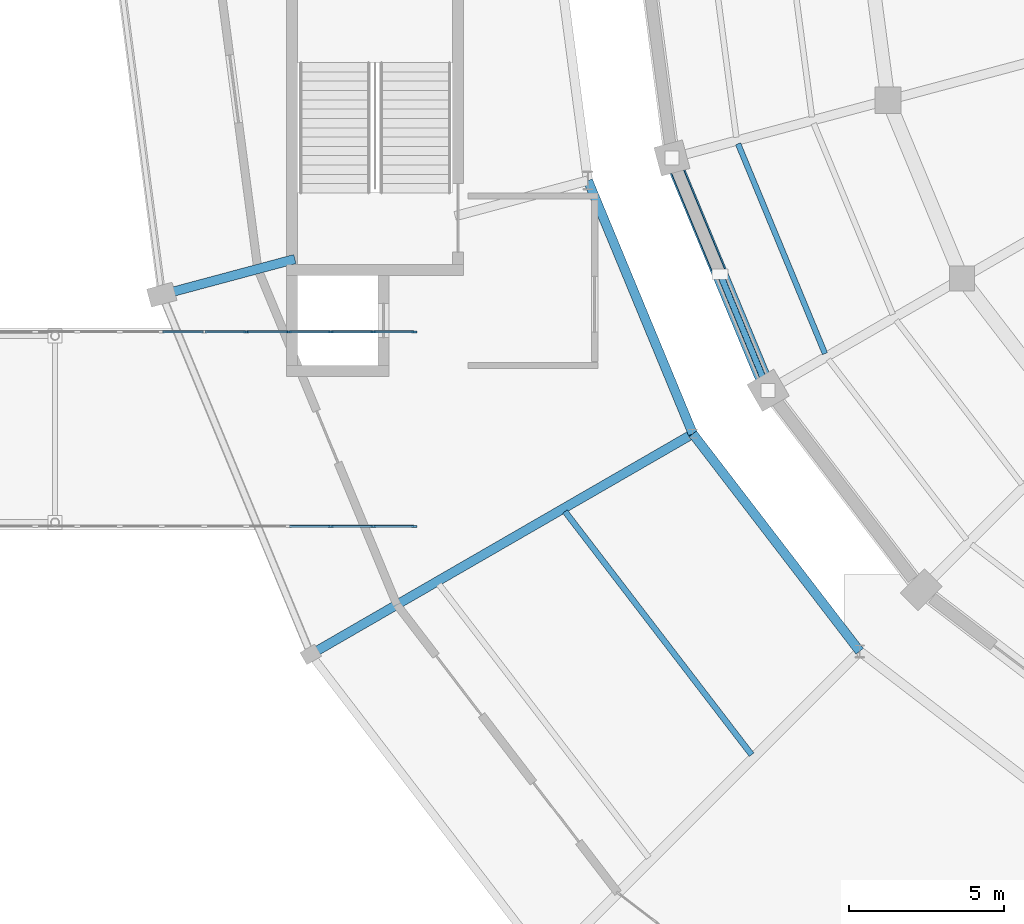
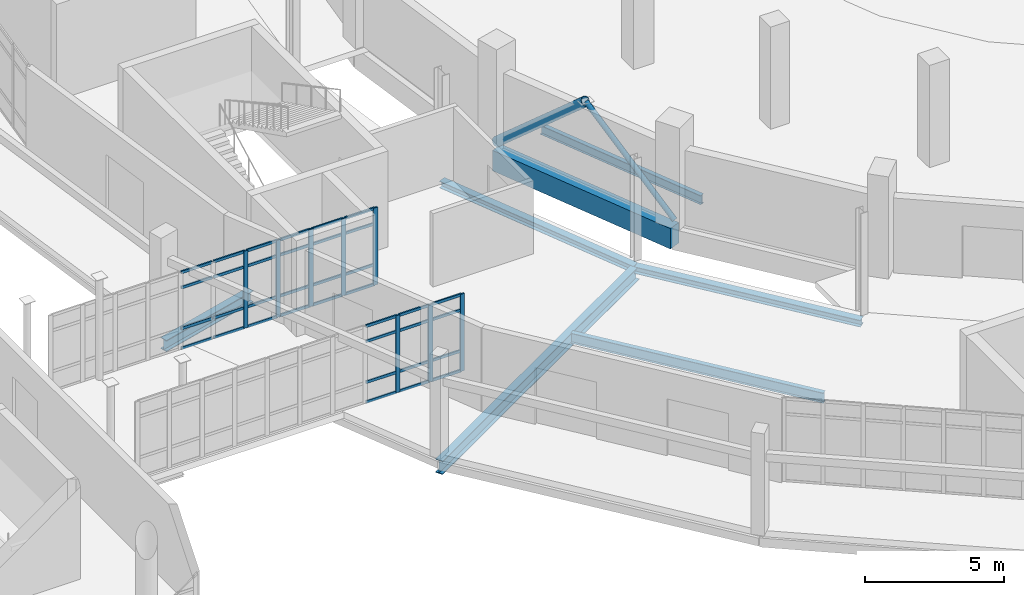
# One storey, part 33 of 122: 46 members, 7 beams, 2 elements without a shape of their own.
"""IFC4 building model written with IfcOpenShell, lengths in metres."""

from ifc_helpers import new_model, si_unit, direction, frame, origin, origin_2d, place, context, subcontext, project, spatial, rectangle, hollow_circle, i_section, extrude, material, layer, layer_set, material_profile, profile_set, type_object, element, aggregate, save


model = new_model("IFC4")

# Units and contexts
model_context = context("Model", 3, precision=1e-05, world=origin(), true_north=direction((0.0, 1.0)))
body_context = subcontext(model_context, "Body", "Model", "MODEL_VIEW")
ifc_project = project(units=[si_unit("LENGTHUNIT", "METRE"), si_unit("AREAUNIT", "SQUARE_METRE"), si_unit("VOLUMEUNIT", "CUBIC_METRE"), si_unit("PLANEANGLEUNIT", "RADIAN"), si_unit("MASSUNIT", "GRAM", prefix="KILO")], contexts=[model_context])

# Site, building, storey
site_placement = place(None, origin())
site = spatial("IfcSite", under=ifc_project, at=site_placement, CompositionType="ELEMENT")
building_placement = place(site_placement, origin())
building = spatial("IfcBuilding", under=site, at=building_placement, Name="Sohan Crest Arena", CompositionType="ELEMENT")
storey_placement = place(building_placement, origin())
storey = spatial("IfcBuildingStorey", under=building, at=storey_placement, Name="L00", CompositionType="ELEMENT", Elevation=0.0)

# Curtain wall, members
ifc_material_1 = material(Name="Thermally broken anodised aluminium", Category="aluminium")
ifc_layer = layer(ifc_material_1, 0.18994140625, Name="Thermally broken anodised aluminium")
ifc_layer_set = layer_set([ifc_layer], Name="Thermally broken anodised aluminium")
curtain_wall_type = type_object("IfcCurtainWallType", Name="ARC-CW05", PredefinedType="NOTDEFINED", material=ifc_layer_set)
curtain_wall_1_placement = place(storey_placement, origin())
curtain_wall_1 = element("IfcCurtainWall", 1, at=curtain_wall_1_placement, inside=storey, type_object=curtain_wall_type, Name="Unitised curtain wall CW-223", PredefinedType="NOTDEFINED")
ifc_material_profile_1 = material_profile(ifc_material_1, rectangle(XDim=0.06494140625, YDim=0.179931640625, at=origin_2d()), Name="ALU-MULL 65x180")
ifc_profile_set_1 = profile_set([ifc_material_profile_1], Name="Thermally broken anodised aluminium")
member_type_1 = type_object("IfcMemberType", Name="ARC-CW-ML02", PredefinedType="MULLION", material=ifc_profile_set_1)
member_1_placement = place(storey_placement, frame((57.080078125, 58.1201171875, 0.0), z_axis=(0.0, 0.0, 1.0), x_axis=(0.0, 1.0, 0.0)))
member_1 = element("IfcMember", 2, at=member_1_placement, type_object=member_type_1, Name="CW-223 mullion 9", PredefinedType="MULLION", context=body_context, shape_type="SweptSolid", body=[
    extrude(rectangle(XDim=0.06494140625, YDim=0.179931640625, at=origin_2d()), origin(), (0.0, 0.0, 1.0), 3.39990234375),
])
member_2_placement = place(storey_placement, frame((58.43994140625, 58.1201171875, 0.0), z_axis=(0.0, 0.0, 1.0), x_axis=(0.0, 1.0, 0.0)))
member_2 = element("IfcMember", 3, at=member_2_placement, type_object=member_type_1, Name="CW-223 mullion 10", PredefinedType="MULLION", context=body_context, shape_type="SweptSolid", body=[
    extrude(rectangle(XDim=0.06494140625, YDim=0.179931640625, at=origin_2d()), origin(), (0.0, 0.0, 1.0), 3.39990234375),
])
member_3_placement = place(storey_placement, frame((59.767578125, 58.1201171875, 0.0), z_axis=(0.0, 0.0, 1.0), x_axis=(0.0, 1.0, 0.0)))
member_3 = element("IfcMember", 4, at=member_3_placement, type_object=member_type_1, Name="CW-223 mullion 11", PredefinedType="MULLION", context=body_context, shape_type="SweptSolid", body=[
    extrude(rectangle(XDim=0.06494140625, YDim=0.179931640625, at=origin_2d()), origin(), (0.0, 0.0, 1.0), 3.39990234375),
])

curtain_wall_2_placement = place(storey_placement, origin())
curtain_wall_2 = element("IfcCurtainWall", 5, at=curtain_wall_2_placement, inside=storey, type_object=curtain_wall_type, Name="Unitised curtain wall CW-224", PredefinedType="NOTDEFINED")
member_4_placement = place(storey_placement, frame((54.360107421875, 64.3798828125, 0.0), z_axis=(0.0, 0.0, 1.0), x_axis=(0.0, 1.0, 0.0)))
member_4 = element("IfcMember", 6, at=member_4_placement, type_object=member_type_1, Name="CW-224 mullion 7", PredefinedType="MULLION", context=body_context, shape_type="SweptSolid", body=[
    extrude(rectangle(XDim=0.06494140625, YDim=0.179931640625, at=origin_2d()), origin(), (0.0, 0.0, 1.0), 3.39990234375),
])
member_5_placement = place(storey_placement, frame((55.719970703125, 64.3798828125, 0.0), z_axis=(0.0, 0.0, 1.0), x_axis=(0.0, 1.0, 0.0)))
member_5 = element("IfcMember", 7, at=member_5_placement, type_object=member_type_1, Name="CW-224 mullion 8", PredefinedType="MULLION", context=body_context, shape_type="SweptSolid", body=[
    extrude(rectangle(XDim=0.06494140625, YDim=0.179931640625, at=origin_2d()), origin(), (0.0, 0.0, 1.0), 3.39990234375),
])
member_6_placement = place(storey_placement, frame((57.080078125, 64.3798828125, 0.0), z_axis=(0.0, 0.0, 1.0), x_axis=(0.0, 1.0, 0.0)))
member_6 = element("IfcMember", 8, at=member_6_placement, type_object=member_type_1, Name="CW-224 mullion 9", PredefinedType="MULLION", context=body_context, shape_type="SweptSolid", body=[
    extrude(rectangle(XDim=0.06494140625, YDim=0.179931640625, at=origin_2d()), origin(), (0.0, 0.0, 1.0), 3.39990234375),
])
member_7_placement = place(storey_placement, frame((58.43994140625, 64.3798828125, 0.0), z_axis=(0.0, 0.0, 1.0), x_axis=(0.0, 1.0, 0.0)))
member_7 = element("IfcMember", 9, at=member_7_placement, type_object=member_type_1, Name="CW-224 mullion 10", PredefinedType="MULLION", context=body_context, shape_type="SweptSolid", body=[
    extrude(rectangle(XDim=0.06494140625, YDim=0.179931640625, at=origin_2d()), origin(), (0.0, 0.0, 1.0), 3.39990234375),
])
member_8_placement = place(storey_placement, frame((59.767578125, 64.3798828125, 0.0), z_axis=(0.0, 0.0, 1.0), x_axis=(0.0, 1.0, 0.0)))
member_8 = element("IfcMember", 10, at=member_8_placement, type_object=member_type_1, Name="CW-224 mullion 11", PredefinedType="MULLION", context=body_context, shape_type="SweptSolid", body=[
    extrude(rectangle(XDim=0.06494140625, YDim=0.179931640625, at=origin_2d()), origin(), (0.0, 0.0, 1.0), 3.39990234375),
])

# Member
ifc_material_profile_2 = material_profile(ifc_material_1, rectangle(XDim=0.06005859375, YDim=0.1201171875, at=origin_2d()), Name="ALU-TRAN 60x120")
ifc_profile_set_2 = profile_set([ifc_material_profile_2], Name="Thermally broken anodised aluminium")
member_type_2 = type_object("IfcMemberType", Name="ARC-CW-TR01", PredefinedType="USERDEFINED", material=ifc_profile_set_2)
member_9_placement = place(storey_placement, frame((55.75244140625, 58.1201171875, 0.030029296875), z_axis=(1.0, 0.0, 0.0), x_axis=(0.0, 1.0, 0.0)))
member_9 = element("IfcMember", 11, at=member_9_placement, type_object=member_type_2, Name="CW-223 transom 8.1", ObjectType="TRANSOM", PredefinedType="USERDEFINED", context=body_context, shape_type="SweptSolid", body=[
    extrude(rectangle(XDim=0.06005859375, YDim=0.1201171875, at=origin_2d()), origin(), (0.0, 0.0, 1.0), 1.295166015625),
])

member_10_placement = place(storey_placement, frame((55.75244140625, 58.1201171875, 0.89990234375), z_axis=(1.0, 0.0, 0.0), x_axis=(0.0, 1.0, 0.0)))
member_10 = element("IfcMember", 12, at=member_10_placement, type_object=member_type_2, Name="CW-223 transom 8.2", ObjectType="TRANSOM", PredefinedType="USERDEFINED", context=body_context, shape_type="SweptSolid", body=[
    extrude(rectangle(XDim=0.06005859375, YDim=0.1201171875, at=origin_2d()), origin(), (0.0, 0.0, 1.0), 1.295166015625),
])

member_11_placement = place(storey_placement, frame((55.75244140625, 58.1201171875, 2.699951171875), z_axis=(1.0, 0.0, 0.0), x_axis=(0.0, 1.0, 0.0)))
member_11 = element("IfcMember", 13, at=member_11_placement, type_object=member_type_2, Name="CW-223 transom 8.3", ObjectType="TRANSOM", PredefinedType="USERDEFINED", context=body_context, shape_type="SweptSolid", body=[
    extrude(rectangle(XDim=0.06005859375, YDim=0.1201171875, at=origin_2d()), origin(), (0.0, 0.0, 1.0), 1.295166015625),
])

member_12_placement = place(storey_placement, frame((55.75244140625, 58.1201171875, 3.3701171875), z_axis=(1.0, 0.0, 0.0), x_axis=(0.0, 1.0, 0.0)))
member_12 = element("IfcMember", 14, at=member_12_placement, type_object=member_type_2, Name="CW-223 transom 8.4", ObjectType="TRANSOM", PredefinedType="USERDEFINED", context=body_context, shape_type="SweptSolid", body=[
    extrude(rectangle(XDim=0.06005859375, YDim=0.1201171875, at=origin_2d()), origin(), (0.0, 0.0, 1.0), 1.295166015625),
])

member_13_placement = place(storey_placement, frame((57.112548828125, 58.1201171875, 0.030029296875), z_axis=(1.0, 0.0, 0.0), x_axis=(0.0, 1.0, 0.0)))
member_13 = element("IfcMember", 15, at=member_13_placement, type_object=member_type_2, Name="CW-223 transom 9.1", ObjectType="TRANSOM", PredefinedType="USERDEFINED", context=body_context, shape_type="SweptSolid", body=[
    extrude(rectangle(XDim=0.06005859375, YDim=0.1201171875, at=origin_2d()), origin(), (0.0, 0.0, 1.0), 1.294921875),
])

member_14_placement = place(storey_placement, frame((57.112548828125, 58.1201171875, 0.89990234375), z_axis=(1.0, 0.0, 0.0), x_axis=(0.0, 1.0, 0.0)))
member_14 = element("IfcMember", 16, at=member_14_placement, type_object=member_type_2, Name="CW-223 transom 9.2", ObjectType="TRANSOM", PredefinedType="USERDEFINED", context=body_context, shape_type="SweptSolid", body=[
    extrude(rectangle(XDim=0.06005859375, YDim=0.1201171875, at=origin_2d()), origin(), (0.0, 0.0, 1.0), 1.294921875),
])

member_15_placement = place(storey_placement, frame((57.112548828125, 58.1201171875, 2.699951171875), z_axis=(1.0, 0.0, 0.0), x_axis=(0.0, 1.0, 0.0)))
member_15 = element("IfcMember", 17, at=member_15_placement, type_object=member_type_2, Name="CW-223 transom 9.3", ObjectType="TRANSOM", PredefinedType="USERDEFINED", context=body_context, shape_type="SweptSolid", body=[
    extrude(rectangle(XDim=0.06005859375, YDim=0.1201171875, at=origin_2d()), origin(), (0.0, 0.0, 1.0), 1.294921875),
])

member_16_placement = place(storey_placement, frame((57.112548828125, 58.1201171875, 3.3701171875), z_axis=(1.0, 0.0, 0.0), x_axis=(0.0, 1.0, 0.0)))
member_16 = element("IfcMember", 18, at=member_16_placement, type_object=member_type_2, Name="CW-223 transom 9.4", ObjectType="TRANSOM", PredefinedType="USERDEFINED", context=body_context, shape_type="SweptSolid", body=[
    extrude(rectangle(XDim=0.06005859375, YDim=0.1201171875, at=origin_2d()), origin(), (0.0, 0.0, 1.0), 1.294921875),
])

member_17_placement = place(storey_placement, frame((58.472412109375, 58.1201171875, 0.030029296875), z_axis=(1.0, 0.0, 0.0), x_axis=(0.0, 1.0, 0.0)))
member_17 = element("IfcMember", 19, at=member_17_placement, type_object=member_type_2, Name="CW-223 transom 10.1", ObjectType="TRANSOM", PredefinedType="USERDEFINED", context=body_context, shape_type="SweptSolid", body=[
    extrude(rectangle(XDim=0.06005859375, YDim=0.1201171875, at=origin_2d()), origin(), (0.0, 0.0, 1.0), 1.2626953125),
])

member_18_placement = place(storey_placement, frame((58.472412109375, 58.1201171875, 0.89990234375), z_axis=(1.0, 0.0, 0.0), x_axis=(0.0, 1.0, 0.0)))
member_18 = element("IfcMember", 20, at=member_18_placement, type_object=member_type_2, Name="CW-223 transom 10.2", ObjectType="TRANSOM", PredefinedType="USERDEFINED", context=body_context, shape_type="SweptSolid", body=[
    extrude(rectangle(XDim=0.06005859375, YDim=0.1201171875, at=origin_2d()), origin(), (0.0, 0.0, 1.0), 1.2626953125),
])

member_19_placement = place(storey_placement, frame((58.472412109375, 58.1201171875, 2.699951171875), z_axis=(1.0, 0.0, 0.0), x_axis=(0.0, 1.0, 0.0)))
member_19 = element("IfcMember", 21, at=member_19_placement, type_object=member_type_2, Name="CW-223 transom 10.3", ObjectType="TRANSOM", PredefinedType="USERDEFINED", context=body_context, shape_type="SweptSolid", body=[
    extrude(rectangle(XDim=0.06005859375, YDim=0.1201171875, at=origin_2d()), origin(), (0.0, 0.0, 1.0), 1.2626953125),
])

member_20_placement = place(storey_placement, frame((58.472412109375, 58.1201171875, 3.3701171875), z_axis=(1.0, 0.0, 0.0), x_axis=(0.0, 1.0, 0.0)))
member_20 = element("IfcMember", 22, at=member_20_placement, type_object=member_type_2, Name="CW-223 transom 10.4", ObjectType="TRANSOM", PredefinedType="USERDEFINED", context=body_context, shape_type="SweptSolid", body=[
    extrude(rectangle(XDim=0.06005859375, YDim=0.1201171875, at=origin_2d()), origin(), (0.0, 0.0, 1.0), 1.2626953125),
])

aggregate(curtain_wall_1, [member_1, member_2, member_3, member_9, member_10, member_11, member_12, member_13, member_14, member_15, member_16, member_17, member_18, member_19, member_20])

member_21_placement = place(storey_placement, frame((51.672607421875, 64.3798828125, 0.030029296875), z_axis=(1.0, 0.0, 0.0), x_axis=(0.0, 1.0, 0.0)))
member_21 = element("IfcMember", 23, at=member_21_placement, type_object=member_type_2, Name="CW-224 transom 5.1", ObjectType="TRANSOM", PredefinedType="USERDEFINED", context=body_context, shape_type="SweptSolid", body=[
    extrude(rectangle(XDim=0.06005859375, YDim=0.1201171875, at=origin_2d()), origin(), (0.0, 0.0, 1.0), 1.294921875),
])

member_22_placement = place(storey_placement, frame((51.672607421875, 64.3798828125, 0.89990234375), z_axis=(1.0, 0.0, 0.0), x_axis=(0.0, 1.0, 0.0)))
member_22 = element("IfcMember", 24, at=member_22_placement, type_object=member_type_2, Name="CW-224 transom 5.2", ObjectType="TRANSOM", PredefinedType="USERDEFINED", context=body_context, shape_type="SweptSolid", body=[
    extrude(rectangle(XDim=0.06005859375, YDim=0.1201171875, at=origin_2d()), origin(), (0.0, 0.0, 1.0), 1.294921875),
])

member_23_placement = place(storey_placement, frame((51.672607421875, 64.3798828125, 2.699951171875), z_axis=(1.0, 0.0, 0.0), x_axis=(0.0, 1.0, 0.0)))
member_23 = element("IfcMember", 25, at=member_23_placement, type_object=member_type_2, Name="CW-224 transom 5.3", ObjectType="TRANSOM", PredefinedType="USERDEFINED", context=body_context, shape_type="SweptSolid", body=[
    extrude(rectangle(XDim=0.06005859375, YDim=0.1201171875, at=origin_2d()), origin(), (0.0, 0.0, 1.0), 1.294921875),
])

member_24_placement = place(storey_placement, frame((51.672607421875, 64.3798828125, 3.3701171875), z_axis=(1.0, 0.0, 0.0), x_axis=(0.0, 1.0, 0.0)))
member_24 = element("IfcMember", 26, at=member_24_placement, type_object=member_type_2, Name="CW-224 transom 5.4", ObjectType="TRANSOM", PredefinedType="USERDEFINED", context=body_context, shape_type="SweptSolid", body=[
    extrude(rectangle(XDim=0.06005859375, YDim=0.1201171875, at=origin_2d()), origin(), (0.0, 0.0, 1.0), 1.294921875),
])

member_25_placement = place(storey_placement, frame((53.032470703125, 64.3798828125, 0.030029296875), z_axis=(1.0, 0.0, 0.0), x_axis=(0.0, 1.0, 0.0)))
member_25 = element("IfcMember", 27, at=member_25_placement, type_object=member_type_2, Name="CW-224 transom 6.1", ObjectType="TRANSOM", PredefinedType="USERDEFINED", context=body_context, shape_type="SweptSolid", body=[
    extrude(rectangle(XDim=0.06005859375, YDim=0.1201171875, at=origin_2d()), origin(), (0.0, 0.0, 1.0), 1.294921875),
])

member_26_placement = place(storey_placement, frame((53.032470703125, 64.3798828125, 0.89990234375), z_axis=(1.0, 0.0, 0.0), x_axis=(0.0, 1.0, 0.0)))
member_26 = element("IfcMember", 28, at=member_26_placement, type_object=member_type_2, Name="CW-224 transom 6.2", ObjectType="TRANSOM", PredefinedType="USERDEFINED", context=body_context, shape_type="SweptSolid", body=[
    extrude(rectangle(XDim=0.06005859375, YDim=0.1201171875, at=origin_2d()), origin(), (0.0, 0.0, 1.0), 1.294921875),
])

member_27_placement = place(storey_placement, frame((53.032470703125, 64.3798828125, 2.699951171875), z_axis=(1.0, 0.0, 0.0), x_axis=(0.0, 1.0, 0.0)))
member_27 = element("IfcMember", 29, at=member_27_placement, type_object=member_type_2, Name="CW-224 transom 6.3", ObjectType="TRANSOM", PredefinedType="USERDEFINED", context=body_context, shape_type="SweptSolid", body=[
    extrude(rectangle(XDim=0.06005859375, YDim=0.1201171875, at=origin_2d()), origin(), (0.0, 0.0, 1.0), 1.294921875),
])

member_28_placement = place(storey_placement, frame((53.032470703125, 64.3798828125, 3.3701171875), z_axis=(1.0, 0.0, 0.0), x_axis=(0.0, 1.0, 0.0)))
member_28 = element("IfcMember", 30, at=member_28_placement, type_object=member_type_2, Name="CW-224 transom 6.4", ObjectType="TRANSOM", PredefinedType="USERDEFINED", context=body_context, shape_type="SweptSolid", body=[
    extrude(rectangle(XDim=0.06005859375, YDim=0.1201171875, at=origin_2d()), origin(), (0.0, 0.0, 1.0), 1.294921875),
])

member_29_placement = place(storey_placement, frame((54.392578125, 64.3798828125, 0.030029296875), z_axis=(1.0, 0.0, 0.0), x_axis=(0.0, 1.0, 0.0)))
member_29 = element("IfcMember", 31, at=member_29_placement, type_object=member_type_2, Name="CW-224 transom 7.1", ObjectType="TRANSOM", PredefinedType="USERDEFINED", context=body_context, shape_type="SweptSolid", body=[
    extrude(rectangle(XDim=0.06005859375, YDim=0.1201171875, at=origin_2d()), origin(), (0.0, 0.0, 1.0), 1.294921875),
])

member_30_placement = place(storey_placement, frame((54.392578125, 64.3798828125, 0.89990234375), z_axis=(1.0, 0.0, 0.0), x_axis=(0.0, 1.0, 0.0)))
member_30 = element("IfcMember", 32, at=member_30_placement, type_object=member_type_2, Name="CW-224 transom 7.2", ObjectType="TRANSOM", PredefinedType="USERDEFINED", context=body_context, shape_type="SweptSolid", body=[
    extrude(rectangle(XDim=0.06005859375, YDim=0.1201171875, at=origin_2d()), origin(), (0.0, 0.0, 1.0), 1.294921875),
])

member_31_placement = place(storey_placement, frame((54.392578125, 64.3798828125, 2.699951171875), z_axis=(1.0, 0.0, 0.0), x_axis=(0.0, 1.0, 0.0)))
member_31 = element("IfcMember", 33, at=member_31_placement, type_object=member_type_2, Name="CW-224 transom 7.3", ObjectType="TRANSOM", PredefinedType="USERDEFINED", context=body_context, shape_type="SweptSolid", body=[
    extrude(rectangle(XDim=0.06005859375, YDim=0.1201171875, at=origin_2d()), origin(), (0.0, 0.0, 1.0), 1.294921875),
])

member_32_placement = place(storey_placement, frame((54.392578125, 64.3798828125, 3.3701171875), z_axis=(1.0, 0.0, 0.0), x_axis=(0.0, 1.0, 0.0)))
member_32 = element("IfcMember", 34, at=member_32_placement, type_object=member_type_2, Name="CW-224 transom 7.4", ObjectType="TRANSOM", PredefinedType="USERDEFINED", context=body_context, shape_type="SweptSolid", body=[
    extrude(rectangle(XDim=0.06005859375, YDim=0.1201171875, at=origin_2d()), origin(), (0.0, 0.0, 1.0), 1.294921875),
])

member_33_placement = place(storey_placement, frame((55.75244140625, 64.3798828125, 0.030029296875), z_axis=(1.0, 0.0, 0.0), x_axis=(0.0, 1.0, 0.0)))
member_33 = element("IfcMember", 35, at=member_33_placement, type_object=member_type_2, Name="CW-224 transom 8.1", ObjectType="TRANSOM", PredefinedType="USERDEFINED", context=body_context, shape_type="SweptSolid", body=[
    extrude(rectangle(XDim=0.06005859375, YDim=0.1201171875, at=origin_2d()), origin(), (0.0, 0.0, 1.0), 1.295166015625),
])

member_34_placement = place(storey_placement, frame((55.75244140625, 64.3798828125, 0.89990234375), z_axis=(1.0, 0.0, 0.0), x_axis=(0.0, 1.0, 0.0)))
member_34 = element("IfcMember", 36, at=member_34_placement, type_object=member_type_2, Name="CW-224 transom 8.2", ObjectType="TRANSOM", PredefinedType="USERDEFINED", context=body_context, shape_type="SweptSolid", body=[
    extrude(rectangle(XDim=0.06005859375, YDim=0.1201171875, at=origin_2d()), origin(), (0.0, 0.0, 1.0), 1.295166015625),
])

member_35_placement = place(storey_placement, frame((55.75244140625, 64.3798828125, 2.699951171875), z_axis=(1.0, 0.0, 0.0), x_axis=(0.0, 1.0, 0.0)))
member_35 = element("IfcMember", 37, at=member_35_placement, type_object=member_type_2, Name="CW-224 transom 8.3", ObjectType="TRANSOM", PredefinedType="USERDEFINED", context=body_context, shape_type="SweptSolid", body=[
    extrude(rectangle(XDim=0.06005859375, YDim=0.1201171875, at=origin_2d()), origin(), (0.0, 0.0, 1.0), 1.295166015625),
])

member_36_placement = place(storey_placement, frame((55.75244140625, 64.3798828125, 3.3701171875), z_axis=(1.0, 0.0, 0.0), x_axis=(0.0, 1.0, 0.0)))
member_36 = element("IfcMember", 38, at=member_36_placement, type_object=member_type_2, Name="CW-224 transom 8.4", ObjectType="TRANSOM", PredefinedType="USERDEFINED", context=body_context, shape_type="SweptSolid", body=[
    extrude(rectangle(XDim=0.06005859375, YDim=0.1201171875, at=origin_2d()), origin(), (0.0, 0.0, 1.0), 1.295166015625),
])

member_37_placement = place(storey_placement, frame((57.112548828125, 64.3798828125, 0.030029296875), z_axis=(1.0, 0.0, 0.0), x_axis=(0.0, 1.0, 0.0)))
member_37 = element("IfcMember", 39, at=member_37_placement, type_object=member_type_2, Name="CW-224 transom 9.1", ObjectType="TRANSOM", PredefinedType="USERDEFINED", context=body_context, shape_type="SweptSolid", body=[
    extrude(rectangle(XDim=0.06005859375, YDim=0.1201171875, at=origin_2d()), origin(), (0.0, 0.0, 1.0), 1.294921875),
])

member_38_placement = place(storey_placement, frame((57.112548828125, 64.3798828125, 0.89990234375), z_axis=(1.0, 0.0, 0.0), x_axis=(0.0, 1.0, 0.0)))
member_38 = element("IfcMember", 40, at=member_38_placement, type_object=member_type_2, Name="CW-224 transom 9.2", ObjectType="TRANSOM", PredefinedType="USERDEFINED", context=body_context, shape_type="SweptSolid", body=[
    extrude(rectangle(XDim=0.06005859375, YDim=0.1201171875, at=origin_2d()), origin(), (0.0, 0.0, 1.0), 1.294921875),
])

member_39_placement = place(storey_placement, frame((57.112548828125, 64.3798828125, 2.699951171875), z_axis=(1.0, 0.0, 0.0), x_axis=(0.0, 1.0, 0.0)))
member_39 = element("IfcMember", 41, at=member_39_placement, type_object=member_type_2, Name="CW-224 transom 9.3", ObjectType="TRANSOM", PredefinedType="USERDEFINED", context=body_context, shape_type="SweptSolid", body=[
    extrude(rectangle(XDim=0.06005859375, YDim=0.1201171875, at=origin_2d()), origin(), (0.0, 0.0, 1.0), 1.294921875),
])

member_40_placement = place(storey_placement, frame((57.112548828125, 64.3798828125, 3.3701171875), z_axis=(1.0, 0.0, 0.0), x_axis=(0.0, 1.0, 0.0)))
member_40 = element("IfcMember", 42, at=member_40_placement, type_object=member_type_2, Name="CW-224 transom 9.4", ObjectType="TRANSOM", PredefinedType="USERDEFINED", context=body_context, shape_type="SweptSolid", body=[
    extrude(rectangle(XDim=0.06005859375, YDim=0.1201171875, at=origin_2d()), origin(), (0.0, 0.0, 1.0), 1.294921875),
])

member_41_placement = place(storey_placement, frame((58.472412109375, 64.3798828125, 0.030029296875), z_axis=(1.0, 0.0, 0.0), x_axis=(0.0, 1.0, 0.0)))
member_41 = element("IfcMember", 43, at=member_41_placement, type_object=member_type_2, Name="CW-224 transom 10.1", ObjectType="TRANSOM", PredefinedType="USERDEFINED", context=body_context, shape_type="SweptSolid", body=[
    extrude(rectangle(XDim=0.06005859375, YDim=0.1201171875, at=origin_2d()), origin(), (0.0, 0.0, 1.0), 1.2626953125),
])

member_42_placement = place(storey_placement, frame((58.472412109375, 64.3798828125, 0.89990234375), z_axis=(1.0, 0.0, 0.0), x_axis=(0.0, 1.0, 0.0)))
member_42 = element("IfcMember", 44, at=member_42_placement, type_object=member_type_2, Name="CW-224 transom 10.2", ObjectType="TRANSOM", PredefinedType="USERDEFINED", context=body_context, shape_type="SweptSolid", body=[
    extrude(rectangle(XDim=0.06005859375, YDim=0.1201171875, at=origin_2d()), origin(), (0.0, 0.0, 1.0), 1.2626953125),
])

member_43_placement = place(storey_placement, frame((58.472412109375, 64.3798828125, 2.699951171875), z_axis=(1.0, 0.0, 0.0), x_axis=(0.0, 1.0, 0.0)))
member_43 = element("IfcMember", 45, at=member_43_placement, type_object=member_type_2, Name="CW-224 transom 10.3", ObjectType="TRANSOM", PredefinedType="USERDEFINED", context=body_context, shape_type="SweptSolid", body=[
    extrude(rectangle(XDim=0.06005859375, YDim=0.1201171875, at=origin_2d()), origin(), (0.0, 0.0, 1.0), 1.2626953125),
])

member_44_placement = place(storey_placement, frame((58.472412109375, 64.3798828125, 3.3701171875), z_axis=(1.0, 0.0, 0.0), x_axis=(0.0, 1.0, 0.0)))
member_44 = element("IfcMember", 46, at=member_44_placement, type_object=member_type_2, Name="CW-224 transom 10.4", ObjectType="TRANSOM", PredefinedType="USERDEFINED", context=body_context, shape_type="SweptSolid", body=[
    extrude(rectangle(XDim=0.06005859375, YDim=0.1201171875, at=origin_2d()), origin(), (0.0, 0.0, 1.0), 1.2626953125),
])

aggregate(curtain_wall_2, [member_4, member_5, member_6, member_7, member_8, member_21, member_22, member_23, member_24, member_25, member_26, member_27, member_28, member_29, member_30, member_31, member_32, member_33, member_34, member_35, member_36, member_37, member_38, member_39, member_40, member_41, member_42, member_43, member_44])

# Beams
ifc_material_2 = material(Name="Steel S355", Category="steel")
ifc_material_profile_3 = material_profile(ifc_material_2, i_section(OverallWidth=0.179931640625, OverallDepth=0.39990234375, WebThickness=0.008544921875, FlangeThickness=0.013427734375, at=origin_2d()), Name="IPE 400")
ifc_profile_set_3 = profile_set([ifc_material_profile_3], Name="Steel S355")
beam_type_1 = type_object("IfcBeamType", Name="STR-BM-B03", PredefinedType="JOIST", material=ifc_profile_set_3)
beam_1_placement = place(storey_placement, frame((70.18408203125, 70.43408203125, -0.449951171875), z_axis=(0.382800197818, -0.923831158032, 0.0), x_axis=(0.923831158032, 0.382800197818, 0.0)))
element("IfcBeam", 47, at=beam_1_placement, inside=storey, type_object=beam_type_1, Name="Structural beam J-L00-0217", PredefinedType="JOIST", context=body_context, shape_type="SweptSolid", body=[
    extrude(i_section(OverallWidth=0.179931640625, OverallDepth=0.39990234375, WebThickness=0.008544921875, FlangeThickness=0.013427734375, at=origin_2d()), origin(), (0.0, 0.0, 1.0), 7.308837890625),
])
ifc_material_profile_4 = material_profile(ifc_material_2, i_section(OverallWidth=0.18994140625, OverallDepth=0.449951171875, WebThickness=0.009521484375, FlangeThickness=0.0146484375, at=origin_2d()), Name="IPE 450")
ifc_profile_set_4 = profile_set([ifc_material_profile_4], Name="Steel S355")
beam_type_2 = type_object("IfcBeamType", Name="STR-BM-B04", PredefinedType="JOIST", material=ifc_profile_set_4)
beam_2_placement = place(storey_placement, frame((64.614013671875, 58.59912109375, -0.5), z_axis=(0.608739091659, -0.793370479843, 0.0), x_axis=(0.793370479843, 0.608739091659, 0.0)))
element("IfcBeam", 48, at=beam_2_placement, inside=storey, type_object=beam_type_2, Name="Structural beam J-L00-0944", PredefinedType="JOIST", context=body_context, shape_type="SweptSolid", body=[
    extrude(i_section(OverallWidth=0.18994140625, OverallDepth=0.449951171875, WebThickness=0.009521484375, FlangeThickness=0.0146484375, at=origin_2d()), origin(), (0.0, 0.0, 1.0), 9.864501953125),
])
ifc_material_profile_5 = material_profile(ifc_material_2, i_section(OverallWidth=0.300048828125, OverallDepth=0.590087890625, WebThickness=0.012939453125, FlangeThickness=0.02490234375, at=origin_2d()), Name="HEA 600")
ifc_profile_set_5 = profile_set([ifc_material_profile_5], Name="Steel S355")
beam_type_3 = type_object("IfcBeamType", Name="STR-BM-B11", PredefinedType="BEAM", material=ifc_profile_set_5)
beam_3_placement = place(storey_placement, frame((68.72802734375, 61.10009765625, -0.570068359375), z_axis=(-0.86601465089, -0.500018624098, 0.0), x_axis=(0.500018624098, -0.86601465089, 0.0)))
element("IfcBeam", 49, at=beam_3_placement, inside=storey, type_object=beam_type_3, Name="Structural beam G-L00-0940", PredefinedType="BEAM", context=body_context, shape_type="SweptSolid", body=[
    extrude(i_section(OverallWidth=0.300048828125, OverallDepth=0.590087890625, WebThickness=0.012939453125, FlangeThickness=0.02490234375, at=origin_2d()), origin(), (0.0, 0.0, 1.0), 14.19970703125),
])
ifc_material_profile_6 = material_profile(ifc_material_2, i_section(OverallWidth=0.300048828125, OverallDepth=0.300048828125, WebThickness=0.010986328125, FlangeThickness=0.01904296875, at=origin_2d()), Name="HEB 300")
ifc_profile_set_6 = profile_set([ifc_material_profile_6], Name="Steel S355")
beam_type_4 = type_object("IfcBeamType", Name="STR-BM-B12", PredefinedType="BEAM", material=ifc_profile_set_6)
beam_4_placement = place(storey_placement, frame((65.35205078125, 69.251953125, -0.425048828125), z_axis=(0.38262224111, -0.923904876385, 0.0), x_axis=(0.923904876385, 0.38262224111, 0.0)))
element("IfcBeam", 50, at=beam_4_placement, inside=storey, type_object=beam_type_4, Name="Structural beam G-L00-0937", PredefinedType="BEAM", context=body_context, shape_type="SweptSolid", body=[
    extrude(i_section(OverallWidth=0.300048828125, OverallDepth=0.300048828125, WebThickness=0.010986328125, FlangeThickness=0.01904296875, at=origin_2d()), origin(), (0.0, 0.0, 1.0), 8.8232421875),
])
beam_5_placement = place(storey_placement, frame((68.72802734375, 61.10009765625, -0.425048828125), z_axis=(0.608817165336, -0.793310569192, 0.0), x_axis=(0.793310569192, 0.608817165336, 0.0)))
element("IfcBeam", 51, at=beam_5_placement, inside=storey, type_object=beam_type_4, Name="Structural beam G-L00-0941", PredefinedType="BEAM", context=body_context, shape_type="SweptSolid", body=[
    extrude(i_section(OverallWidth=0.300048828125, OverallDepth=0.300048828125, WebThickness=0.010986328125, FlangeThickness=0.01904296875, at=origin_2d()), origin(), (0.0, 0.0, 1.0), 8.82373046875),
])
ifc_material_profile_7 = material_profile(ifc_material_2, i_section(OverallWidth=0.300048828125, OverallDepth=0.5, WebThickness=0.014404296875, FlangeThickness=0.028076171875, at=origin_2d()), Name="HEB 500")
ifc_profile_set_7 = profile_set([ifc_material_profile_7], Name="Steel S355")
beam_type_5 = type_object("IfcBeamType", Name="STR-BM-B14", PredefinedType="BEAM", material=ifc_profile_set_7)
beam_6_placement = place(storey_placement, frame((55.919921875, 66.72509765625, -0.52490234375), z_axis=(-0.965907995401, -0.258885581716, 0.0), x_axis=(0.258885581716, -0.965907995401, 0.0)))
element("IfcBeam", 52, at=beam_6_placement, inside=storey, type_object=beam_type_5, Name="Structural beam G-L00-0936", PredefinedType="BEAM", context=body_context, shape_type="SweptSolid", body=[
    extrude(i_section(OverallWidth=0.300048828125, OverallDepth=0.5, WebThickness=0.014404296875, FlangeThickness=0.028076171875, at=origin_2d()), origin(), (0.0, 0.0, 1.0), 4.43505859375),
])
ifc_material_3 = material(Name="Concrete C40/50", Category="concrete")
ifc_material_profile_8 = material_profile(ifc_material_3, rectangle(XDim=0.5, YDim=0.89990234375, at=origin_2d()), Name="RC-BM 500x900")
ifc_profile_set_8 = profile_set([ifc_material_profile_8], Name="Concrete C40/50")
beam_type_6 = type_object("IfcBeamType", Name="STR-BM-TB03", PredefinedType="BEAM", material=ifc_profile_set_8)
beam_7_placement = place(storey_placement, frame((68.055908203125, 69.97705078125, -0.699951171875), z_axis=(0.382691039498, -0.923876381497, 0.0), x_axis=(0.923876381497, 0.382691039498, 0.0)))
element("IfcBeam", 53, at=beam_7_placement, inside=storey, type_object=beam_type_6, Name="Structural beam TB-L00-0214", PredefinedType="BEAM", context=body_context, shape_type="SweptSolid", body=[
    extrude(rectangle(XDim=0.5, YDim=0.89990234375, at=origin_2d()), origin(), (0.0, 0.0, 1.0), 8.093017578125),
])

# Members
ifc_material_profile_9 = material_profile(ifc_material_2, hollow_circle(Radius=0.109619140625, WallThickness=0.010009765625, at=origin_2d()), Name="CHS 219.1x10")
ifc_profile_set_9 = profile_set([ifc_material_profile_9], Name="Steel S355")
member_type_3 = type_object("IfcMemberType", Name="STR-MEM-BR01", PredefinedType="BRACE", material=ifc_profile_set_9)
member_45_placement = place(storey_placement, frame((71.153076171875, 62.5, 0.0), z_axis=(-0.289341830525, 0.698828281736, 0.654156202871), x_axis=(-0.923936700295, -0.382545387958, 0.0)))
element("IfcMember", 54, at=member_45_placement, inside=storey, type_object=member_type_3, Name="Concentric lateral chevron brace BR-010", PredefinedType="BRACE", context=body_context, shape_type="SweptSolid", body=[
    extrude(hollow_circle(Radius=0.109619140625, WallThickness=0.010009765625, at=origin_2d()), origin(), (0.0, 0.0, 1.0), 5.350341796875),
])
ifc_material_profile_10 = material_profile(ifc_material_2, hollow_circle(Radius=0.203125, WallThickness=0.01611328125, at=origin_2d()), Name="CHS 406.4x16")
ifc_profile_set_10 = profile_set([ifc_material_profile_10], Name="Steel S355")
member_type_4 = type_object("IfcMemberType", Name="STR-MEM-BR05", PredefinedType="BRACE", material=ifc_profile_set_10)
member_46_placement = place(storey_placement, frame((68.055908203125, 69.97705078125, 0.0), z_axis=(0.289545983611, -0.698697959822, 0.654205078179), x_axis=(0.923816031855, 0.38283670055, 0.0)))
element("IfcMember", 55, at=member_46_placement, inside=storey, type_object=member_type_4, Name="Concentric lateral chevron brace BR-009", PredefinedType="BRACE", context=body_context, shape_type="SweptSolid", body=[
    extrude(hollow_circle(Radius=0.203125, WallThickness=0.01611328125, at=origin_2d()), origin(), (0.0, 0.0, 1.0), 5.35009765625),
])

save(model, "model.ifc")
